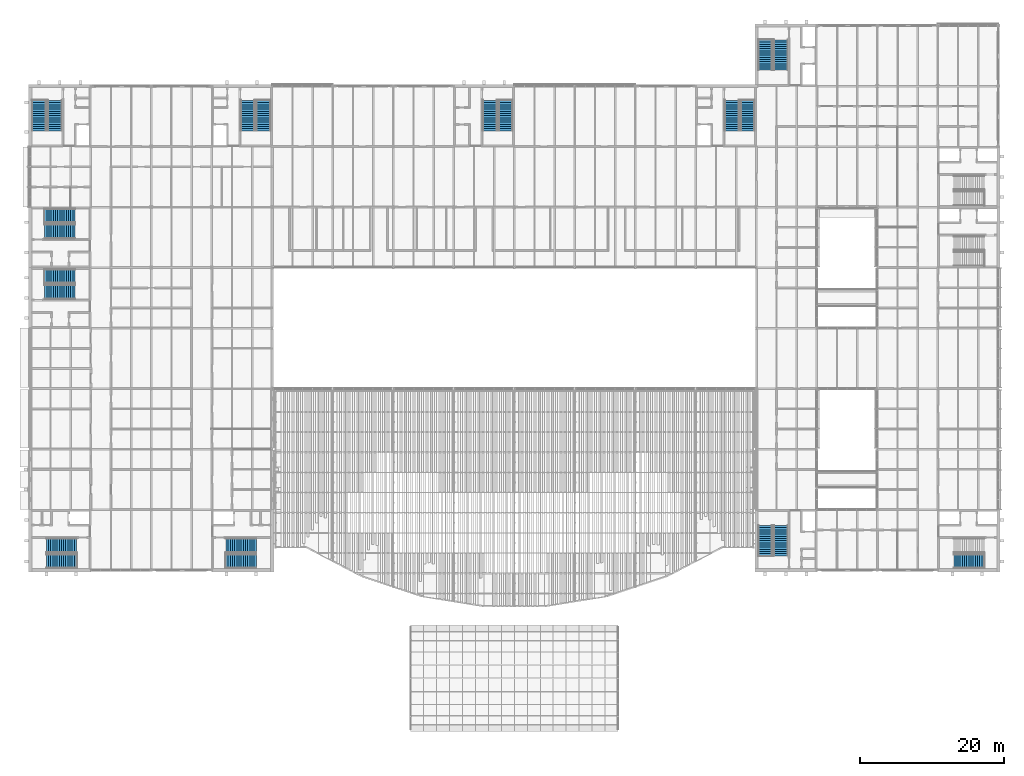
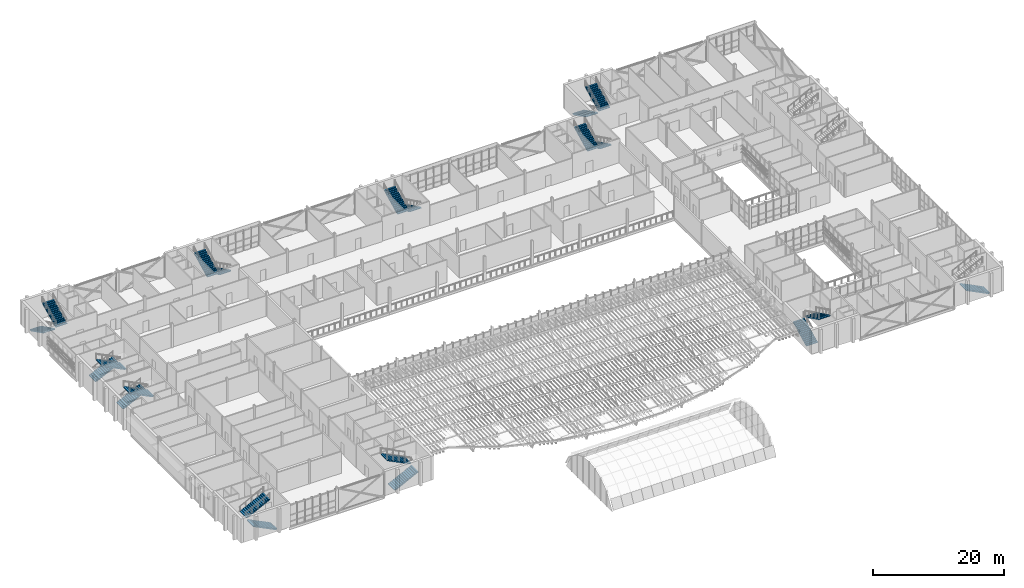
# One storey, part 97 of 129: 21 stair flights, 11 elements without a shape of their own.
"""IFC4 building model written with IfcOpenShell, lengths in metres."""

from ifc_helpers import new_model, si_unit, direction, frame, origin, place, context, subcontext, project, spatial, polyline, outline, extrude, material, type_object, element, aggregate, save


model = new_model("IFC4")

# Units and contexts
model_context = context("Model", 3, precision=1e-05, world=origin(), true_north=direction((0.0, 1.0)))
body_context = subcontext(model_context, "Body", "Model", "MODEL_VIEW")
ifc_project = project(units=[si_unit("LENGTHUNIT", "METRE"), si_unit("AREAUNIT", "SQUARE_METRE"), si_unit("VOLUMEUNIT", "CUBIC_METRE"), si_unit("PLANEANGLEUNIT", "RADIAN"), si_unit("MASSUNIT", "GRAM", prefix="KILO")], contexts=[model_context])

# Site, building, storey
site_placement = place(None, origin())
site = spatial("IfcSite", under=ifc_project, at=site_placement, CompositionType="ELEMENT")
building_placement = place(site_placement, origin())
building = spatial("IfcBuilding", under=site, at=building_placement, Name="Ardhachandra Cancer Care Centre", CompositionType="ELEMENT")
storey_placement = place(building_placement, frame((0.0, 0.0, 4.5)))
storey = spatial("IfcBuildingStorey", under=building, at=storey_placement, Name="L01", CompositionType="ELEMENT", Elevation=4.5)

# Stair, stair flights
ifc_material_1 = material(Name="Concrete M40", Category="concrete")
stair_type = type_object("IfcStairType", Name="Dog-leg stair 2000", PredefinedType="HALF_TURN_STAIR", material=ifc_material_1)
stair_1_placement = place(storey_placement, origin())
stair_1 = element("IfcStair", 1, at=stair_1_placement, inside=storey, type_object=stair_type, Name="Stair K1 L01-L02", PredefinedType="HALF_TURN_STAIR")
ifc_material_2 = material(Name="Concrete M40", Category="concrete")
stair_flight_type = type_object("IfcStairFlightType", Name="Stair flight 2000", PredefinedType="STRAIGHT", material=ifc_material_2)
stair_flight_1_placement = place(storey_placement, frame((17.22509765625, 30.625, 0.0), z_axis=(0.0, 0.0, 1.0), x_axis=(-1.0, 0.0, 0.0)))
stair_flight_1 = element("IfcStairFlight", 2, at=stair_flight_1_placement, type_object=stair_flight_type, Name="stair K1 L01-L02 flight 1", NumberOfRisers=15, NumberOfTreads=14, PredefinedType="STRAIGHT", RiserHeight=0.15, TreadLength=0.3, context=body_context, shape_type="SweptSolid", body=[
    extrude(outline(polyline([(0.0, 0.0), (0.0, 0.14990234375), (0.300048828125, 0.14990234375), (0.300048828125, 0.300048828125), (0.60009765625, 0.300048828125), (0.60009765625, 0.449951171875), (0.89990234375, 0.449951171875), (0.89990234375, 0.60009765625), (1.199951171875, 0.60009765625), (1.199951171875, 0.75), (1.5, 0.75), (1.5, 0.89990234375), (1.800048828125, 0.89990234375), (1.800048828125, 1.050048828125), (2.10009765625, 1.050048828125), (2.10009765625, 1.199951171875), (2.39990234375, 1.199951171875), (2.39990234375, 1.35009765625), (2.699951171875, 1.35009765625), (2.699951171875, 1.5), (3.0, 1.5), (3.0, 1.64990234375), (3.300048828125, 1.64990234375), (3.300048828125, 1.800048828125), (3.60009765625, 1.800048828125), (3.60009765625, 1.949951171875), (3.89990234375, 1.949951171875), (3.89990234375, 2.10009765625), (4.199951171875, 2.10009765625), (4.199951171875, 2.25), (4.199951171875, 1.932373046875), (0.335205078125, 0.0), (0.0, 0.0)])), frame((0.0, 1.0, 0.0), z_axis=(0.0, -1.0, 0.0), x_axis=(1.0, 0.0, 0.0)), (0.0, 0.0, 1.0), 2.0),
])
stair_flight_2_placement = place(storey_placement, frame((13.02490234375, 32.824951171875, 2.25), z_axis=(0.0, 0.0, 1.0), x_axis=(1.0, 0.0, 0.0)))
stair_flight_2 = element("IfcStairFlight", 3, at=stair_flight_2_placement, type_object=stair_flight_type, Name="stair K1 L01-L02 flight 2", NumberOfRisers=15, NumberOfTreads=14, PredefinedType="STRAIGHT", RiserHeight=0.15, TreadLength=0.3, context=body_context, shape_type="SweptSolid", body=[
    extrude(outline(polyline([(0.0, 0.0), (0.0, 0.14990234375), (0.300048828125, 0.14990234375), (0.300048828125, 0.300048828125), (0.60009765625, 0.300048828125), (0.60009765625, 0.449951171875), (0.89990234375, 0.449951171875), (0.89990234375, 0.60009765625), (1.199951171875, 0.60009765625), (1.199951171875, 0.75), (1.5, 0.75), (1.5, 0.89990234375), (1.800048828125, 0.89990234375), (1.800048828125, 1.050048828125), (2.10009765625, 1.050048828125), (2.10009765625, 1.199951171875), (2.39990234375, 1.199951171875), (2.39990234375, 1.35009765625), (2.699951171875, 1.35009765625), (2.699951171875, 1.5), (3.0, 1.5), (3.0, 1.64990234375), (3.300048828125, 1.64990234375), (3.300048828125, 1.800048828125), (3.60009765625, 1.800048828125), (3.60009765625, 1.949951171875), (3.89990234375, 1.949951171875), (3.89990234375, 2.10009765625), (4.199951171875, 2.10009765625), (4.199951171875, 2.25), (4.199951171875, 1.932373046875), (0.335205078125, 0.0), (0.0, 0.0)])), frame((0.0, 1.0, 0.0), z_axis=(0.0, -1.0, 0.0), x_axis=(1.0, 0.0, 0.0)), (0.0, 0.0, 1.0), 2.0),
])
aggregate(stair_1, [stair_flight_1, stair_flight_2])

stair_2_placement = place(storey_placement, origin())
stair_2 = element("IfcStair", 4, at=stair_2_placement, inside=storey, type_object=stair_type, Name="Stair K2 L01-L02", PredefinedType="HALF_TURN_STAIR")
stair_flight_3_placement = place(storey_placement, frame((37.97509765625, 30.625, 0.0), z_axis=(0.0, 0.0, 1.0), x_axis=(1.0, 0.0, 0.0)))
stair_flight_3 = element("IfcStairFlight", 5, at=stair_flight_3_placement, type_object=stair_flight_type, Name="stair K2 L01-L02 flight 1", NumberOfRisers=15, NumberOfTreads=14, PredefinedType="STRAIGHT", RiserHeight=0.15, TreadLength=0.3, context=body_context, shape_type="SweptSolid", body=[
    extrude(outline(polyline([(0.0, 0.0), (0.0, 0.14990234375), (0.300048828125, 0.14990234375), (0.300048828125, 0.300048828125), (0.60009765625, 0.300048828125), (0.60009765625, 0.449951171875), (0.89990234375, 0.449951171875), (0.89990234375, 0.60009765625), (1.199951171875, 0.60009765625), (1.199951171875, 0.75), (1.5, 0.75), (1.5, 0.89990234375), (1.800048828125, 0.89990234375), (1.800048828125, 1.050048828125), (2.10009765625, 1.050048828125), (2.10009765625, 1.199951171875), (2.39990234375, 1.199951171875), (2.39990234375, 1.35009765625), (2.699951171875, 1.35009765625), (2.699951171875, 1.5), (3.0, 1.5), (3.0, 1.64990234375), (3.300048828125, 1.64990234375), (3.300048828125, 1.800048828125), (3.60009765625, 1.800048828125), (3.60009765625, 1.949951171875), (3.89990234375, 1.949951171875), (3.89990234375, 2.10009765625), (4.199951171875, 2.10009765625), (4.199951171875, 2.25), (4.199951171875, 1.932373046875), (0.335205078125, 0.0), (0.0, 0.0)])), frame((0.0, 1.0, 0.0), z_axis=(0.0, -1.0, 0.0), x_axis=(1.0, 0.0, 0.0)), (0.0, 0.0, 1.0), 2.0),
])
stair_flight_4_placement = place(storey_placement, frame((42.175048828125, 32.824951171875, 2.25), z_axis=(0.0, 0.0, 1.0), x_axis=(-1.0, 0.0, 0.0)))
stair_flight_4 = element("IfcStairFlight", 6, at=stair_flight_4_placement, type_object=stair_flight_type, Name="stair K2 L01-L02 flight 2", NumberOfRisers=15, NumberOfTreads=14, PredefinedType="STRAIGHT", RiserHeight=0.15, TreadLength=0.3, context=body_context, shape_type="SweptSolid", body=[
    extrude(outline(polyline([(0.0, 0.0), (0.0, 0.14990234375), (0.300048828125, 0.14990234375), (0.300048828125, 0.300048828125), (0.60009765625, 0.300048828125), (0.60009765625, 0.449951171875), (0.89990234375, 0.449951171875), (0.89990234375, 0.60009765625), (1.199951171875, 0.60009765625), (1.199951171875, 0.75), (1.5, 0.75), (1.5, 0.89990234375), (1.800048828125, 0.89990234375), (1.800048828125, 1.050048828125), (2.10009765625, 1.050048828125), (2.10009765625, 1.199951171875), (2.39990234375, 1.199951171875), (2.39990234375, 1.35009765625), (2.699951171875, 1.35009765625), (2.699951171875, 1.5), (3.0, 1.5), (3.0, 1.64990234375), (3.300048828125, 1.64990234375), (3.300048828125, 1.800048828125), (3.60009765625, 1.800048828125), (3.60009765625, 1.949951171875), (3.89990234375, 1.949951171875), (3.89990234375, 2.10009765625), (4.199951171875, 2.10009765625), (4.199951171875, 2.25), (4.199951171875, 1.932373046875), (0.335205078125, 0.0), (0.0, 0.0)])), frame((0.0, 1.0, 0.0), z_axis=(0.0, -1.0, 0.0), x_axis=(1.0, 0.0, 0.0)), (0.0, 0.0, 1.0), 2.0),
])
aggregate(stair_2, [stair_flight_3, stair_flight_4])

stair_3_placement = place(storey_placement, origin())
stair_3 = element("IfcStair", 7, at=stair_3_placement, inside=storey, type_object=stair_type, Name="Stair K3 L01-L02", PredefinedType="HALF_TURN_STAIR")
stair_flight_5_placement = place(storey_placement, frame((12.800048828125, 70.199951171875, 0.0), z_axis=(0.0, 0.0, 1.0), x_axis=(1.0, 0.0, 0.0)))
stair_flight_5 = element("IfcStairFlight", 8, at=stair_flight_5_placement, type_object=stair_flight_type, Name="stair K3 L01-L02 flight 1", NumberOfRisers=15, NumberOfTreads=14, PredefinedType="STRAIGHT", RiserHeight=0.15, TreadLength=0.3, context=body_context, shape_type="SweptSolid", body=[
    extrude(outline(polyline([(0.0, 0.0), (0.0, 0.14990234375), (0.300048828125, 0.14990234375), (0.300048828125, 0.300048828125), (0.60009765625, 0.300048828125), (0.60009765625, 0.449951171875), (0.89990234375, 0.449951171875), (0.89990234375, 0.60009765625), (1.199951171875, 0.60009765625), (1.199951171875, 0.75), (1.5, 0.75), (1.5, 0.89990234375), (1.800048828125, 0.89990234375), (1.800048828125, 1.050048828125), (2.10009765625, 1.050048828125), (2.10009765625, 1.199951171875), (2.39990234375, 1.199951171875), (2.39990234375, 1.35009765625), (2.699951171875, 1.35009765625), (2.699951171875, 1.5), (3.0, 1.5), (3.0, 1.64990234375), (3.300048828125, 1.64990234375), (3.300048828125, 1.800048828125), (3.60009765625, 1.800048828125), (3.60009765625, 1.949951171875), (3.89990234375, 1.949951171875), (3.89990234375, 2.10009765625), (4.199951171875, 2.10009765625), (4.199951171875, 2.25), (4.199951171875, 1.932373046875), (0.335205078125, 0.0), (0.0, 0.0)])), frame((0.0, 1.0, 0.0), z_axis=(0.0, -1.0, 0.0), x_axis=(1.0, 0.0, 0.0)), (0.0, 0.0, 1.0), 2.0),
])
stair_flight_6_placement = place(storey_placement, frame((17.0, 68.0, 2.25), z_axis=(0.0, 0.0, 1.0), x_axis=(-1.0, 0.0, 0.0)))
stair_flight_6 = element("IfcStairFlight", 9, at=stair_flight_6_placement, type_object=stair_flight_type, Name="stair K3 L01-L02 flight 2", NumberOfRisers=15, NumberOfTreads=14, PredefinedType="STRAIGHT", RiserHeight=0.15, TreadLength=0.3, context=body_context, shape_type="SweptSolid", body=[
    extrude(outline(polyline([(0.0, 0.0), (0.0, 0.14990234375), (0.300048828125, 0.14990234375), (0.300048828125, 0.300048828125), (0.60009765625, 0.300048828125), (0.60009765625, 0.449951171875), (0.89990234375, 0.449951171875), (0.89990234375, 0.60009765625), (1.199951171875, 0.60009765625), (1.199951171875, 0.75), (1.5, 0.75), (1.5, 0.89990234375), (1.800048828125, 0.89990234375), (1.800048828125, 1.050048828125), (2.10009765625, 1.050048828125), (2.10009765625, 1.199951171875), (2.39990234375, 1.199951171875), (2.39990234375, 1.35009765625), (2.699951171875, 1.35009765625), (2.699951171875, 1.5), (3.0, 1.5), (3.0, 1.64990234375), (3.300048828125, 1.64990234375), (3.300048828125, 1.800048828125), (3.60009765625, 1.800048828125), (3.60009765625, 1.949951171875), (3.89990234375, 1.949951171875), (3.89990234375, 2.10009765625), (4.199951171875, 2.10009765625), (4.199951171875, 2.25), (4.199951171875, 1.932373046875), (0.335205078125, 0.0), (0.0, 0.0)])), frame((0.0, 1.0, 0.0), z_axis=(0.0, -1.0, 0.0), x_axis=(1.0, 0.0, 0.0)), (0.0, 0.0, 1.0), 2.0),
])
aggregate(stair_3, [stair_flight_5, stair_flight_6])

stair_4_placement = place(storey_placement, origin())
stair_4 = element("IfcStair", 10, at=stair_4_placement, inside=storey, type_object=stair_type, Name="Stair K4 L01-L02", PredefinedType="HALF_TURN_STAIR")
stair_flight_7_placement = place(storey_placement, frame((12.02490234375, 94.60009765625, 0.0), z_axis=(0.0, 0.0, 1.0), x_axis=(0.0, -1.0, 0.0)))
stair_flight_7 = element("IfcStairFlight", 11, at=stair_flight_7_placement, type_object=stair_flight_type, Name="stair K4 L01-L02 flight 1", NumberOfRisers=15, NumberOfTreads=14, PredefinedType="STRAIGHT", RiserHeight=0.15, TreadLength=0.3, context=body_context, shape_type="SweptSolid", body=[
    extrude(outline(polyline([(0.0, 0.0), (0.0, 0.14990234375), (0.300048828125, 0.14990234375), (0.300048828125, 0.300048828125), (0.60009765625, 0.300048828125), (0.60009765625, 0.449951171875), (0.89990234375, 0.449951171875), (0.89990234375, 0.60009765625), (1.199951171875, 0.60009765625), (1.199951171875, 0.75), (1.5, 0.75), (1.5, 0.89990234375), (1.800048828125, 0.89990234375), (1.800048828125, 1.050048828125), (2.10009765625, 1.050048828125), (2.10009765625, 1.199951171875), (2.39990234375, 1.199951171875), (2.39990234375, 1.35009765625), (2.699951171875, 1.35009765625), (2.699951171875, 1.5), (3.0, 1.5), (3.0, 1.64990234375), (3.300048828125, 1.64990234375), (3.300048828125, 1.800048828125), (3.60009765625, 1.800048828125), (3.60009765625, 1.949951171875), (3.89990234375, 1.949951171875), (3.89990234375, 2.10009765625), (4.199951171875, 2.10009765625), (4.199951171875, 2.25), (4.199951171875, 1.932373046875), (0.335205078125, 0.0), (0.0, 0.0)])), frame((0.0, 1.0, 0.0), z_axis=(0.0, -1.0, 0.0), x_axis=(1.0, 0.0, 0.0)), (0.0, 0.0, 1.0), 2.0),
])
stair_flight_8_placement = place(storey_placement, frame((14.22509765625, 90.39990234375, 2.25), z_axis=(0.0, 0.0, 1.0), x_axis=(0.0, 1.0, 0.0)))
stair_flight_8 = element("IfcStairFlight", 12, at=stair_flight_8_placement, type_object=stair_flight_type, Name="stair K4 L01-L02 flight 2", NumberOfRisers=15, NumberOfTreads=14, PredefinedType="STRAIGHT", RiserHeight=0.15, TreadLength=0.3, context=body_context, shape_type="SweptSolid", body=[
    extrude(outline(polyline([(0.0, 0.0), (0.0, 0.14990234375), (0.300048828125, 0.14990234375), (0.300048828125, 0.300048828125), (0.60009765625, 0.300048828125), (0.60009765625, 0.449951171875), (0.89990234375, 0.449951171875), (0.89990234375, 0.60009765625), (1.199951171875, 0.60009765625), (1.199951171875, 0.75), (1.5, 0.75), (1.5, 0.89990234375), (1.800048828125, 0.89990234375), (1.800048828125, 1.050048828125), (2.10009765625, 1.050048828125), (2.10009765625, 1.199951171875), (2.39990234375, 1.199951171875), (2.39990234375, 1.35009765625), (2.699951171875, 1.35009765625), (2.699951171875, 1.5), (3.0, 1.5), (3.0, 1.64990234375), (3.300048828125, 1.64990234375), (3.300048828125, 1.800048828125), (3.60009765625, 1.800048828125), (3.60009765625, 1.949951171875), (3.89990234375, 1.949951171875), (3.89990234375, 2.10009765625), (4.199951171875, 2.10009765625), (4.199951171875, 2.25), (4.199951171875, 1.932373046875), (0.335205078125, 0.0), (0.0, 0.0)])), frame((0.0, 1.0, 0.0), z_axis=(0.0, -1.0, 0.0), x_axis=(1.0, 0.0, 0.0)), (0.0, 0.0, 1.0), 2.0),
])
aggregate(stair_4, [stair_flight_7, stair_flight_8])

stair_5_placement = place(storey_placement, origin())
stair_5 = element("IfcStair", 13, at=stair_5_placement, inside=storey, type_object=stair_type, Name="Stair K5 L01-L02", PredefinedType="HALF_TURN_STAIR")
stair_flight_9_placement = place(storey_placement, frame((43.199951171875, 94.60009765625, 0.0), z_axis=(0.0, 0.0, 1.0), x_axis=(0.0, -1.0, 0.0)))
stair_flight_9 = element("IfcStairFlight", 14, at=stair_flight_9_placement, type_object=stair_flight_type, Name="stair K5 L01-L02 flight 1", NumberOfRisers=15, NumberOfTreads=14, PredefinedType="STRAIGHT", RiserHeight=0.15, TreadLength=0.3, context=body_context, shape_type="SweptSolid", body=[
    extrude(outline(polyline([(0.0, 0.0), (0.0, 0.14990234375), (0.300048828125, 0.14990234375), (0.300048828125, 0.300048828125), (0.60009765625, 0.300048828125), (0.60009765625, 0.449951171875), (0.89990234375, 0.449951171875), (0.89990234375, 0.60009765625), (1.199951171875, 0.60009765625), (1.199951171875, 0.75), (1.5, 0.75), (1.5, 0.89990234375), (1.800048828125, 0.89990234375), (1.800048828125, 1.050048828125), (2.10009765625, 1.050048828125), (2.10009765625, 1.199951171875), (2.39990234375, 1.199951171875), (2.39990234375, 1.35009765625), (2.699951171875, 1.35009765625), (2.699951171875, 1.5), (3.0, 1.5), (3.0, 1.64990234375), (3.300048828125, 1.64990234375), (3.300048828125, 1.800048828125), (3.60009765625, 1.800048828125), (3.60009765625, 1.949951171875), (3.89990234375, 1.949951171875), (3.89990234375, 2.10009765625), (4.199951171875, 2.10009765625), (4.199951171875, 2.25), (4.199951171875, 1.932373046875), (0.335205078125, 0.0), (0.0, 0.0)])), frame((0.0, 1.0, 0.0), z_axis=(0.0, -1.0, 0.0), x_axis=(1.0, 0.0, 0.0)), (0.0, 0.0, 1.0), 2.0),
])
stair_flight_10_placement = place(storey_placement, frame((41.0, 90.39990234375, 2.25), z_axis=(0.0, 0.0, 1.0), x_axis=(0.0, 1.0, 0.0)))
stair_flight_10 = element("IfcStairFlight", 15, at=stair_flight_10_placement, type_object=stair_flight_type, Name="stair K5 L01-L02 flight 2", NumberOfRisers=15, NumberOfTreads=14, PredefinedType="STRAIGHT", RiserHeight=0.15, TreadLength=0.3, context=body_context, shape_type="SweptSolid", body=[
    extrude(outline(polyline([(0.0, 0.0), (0.0, 0.14990234375), (0.300048828125, 0.14990234375), (0.300048828125, 0.300048828125), (0.60009765625, 0.300048828125), (0.60009765625, 0.449951171875), (0.89990234375, 0.449951171875), (0.89990234375, 0.60009765625), (1.199951171875, 0.60009765625), (1.199951171875, 0.75), (1.5, 0.75), (1.5, 0.89990234375), (1.800048828125, 0.89990234375), (1.800048828125, 1.050048828125), (2.10009765625, 1.050048828125), (2.10009765625, 1.199951171875), (2.39990234375, 1.199951171875), (2.39990234375, 1.35009765625), (2.699951171875, 1.35009765625), (2.699951171875, 1.5), (3.0, 1.5), (3.0, 1.64990234375), (3.300048828125, 1.64990234375), (3.300048828125, 1.800048828125), (3.60009765625, 1.800048828125), (3.60009765625, 1.949951171875), (3.89990234375, 1.949951171875), (3.89990234375, 2.10009765625), (4.199951171875, 2.10009765625), (4.199951171875, 2.25), (4.199951171875, 1.932373046875), (0.335205078125, 0.0), (0.0, 0.0)])), frame((0.0, 1.0, 0.0), z_axis=(0.0, -1.0, 0.0), x_axis=(1.0, 0.0, 0.0)), (0.0, 0.0, 1.0), 2.0),
])
aggregate(stair_5, [stair_flight_9, stair_flight_10])

stair_6_placement = place(storey_placement, origin())
stair_6 = element("IfcStair", 16, at=stair_6_placement, inside=storey, type_object=stair_type, Name="Stair K6 L01-L02", PredefinedType="HALF_TURN_STAIR")
stair_flight_11_placement = place(storey_placement, frame((12.800048828125, 78.60009765625, 0.0), z_axis=(0.0, 0.0, 1.0), x_axis=(1.0, 0.0, 0.0)))
stair_flight_11 = element("IfcStairFlight", 17, at=stair_flight_11_placement, type_object=stair_flight_type, Name="stair K6 L01-L02 flight 1", NumberOfRisers=15, NumberOfTreads=14, PredefinedType="STRAIGHT", RiserHeight=0.15, TreadLength=0.3, context=body_context, shape_type="SweptSolid", body=[
    extrude(outline(polyline([(0.0, 0.0), (0.0, 0.14990234375), (0.300048828125, 0.14990234375), (0.300048828125, 0.300048828125), (0.60009765625, 0.300048828125), (0.60009765625, 0.449951171875), (0.89990234375, 0.449951171875), (0.89990234375, 0.60009765625), (1.199951171875, 0.60009765625), (1.199951171875, 0.75), (1.5, 0.75), (1.5, 0.89990234375), (1.800048828125, 0.89990234375), (1.800048828125, 1.050048828125), (2.10009765625, 1.050048828125), (2.10009765625, 1.199951171875), (2.39990234375, 1.199951171875), (2.39990234375, 1.35009765625), (2.699951171875, 1.35009765625), (2.699951171875, 1.5), (3.0, 1.5), (3.0, 1.64990234375), (3.300048828125, 1.64990234375), (3.300048828125, 1.800048828125), (3.60009765625, 1.800048828125), (3.60009765625, 1.949951171875), (3.89990234375, 1.949951171875), (3.89990234375, 2.10009765625), (4.199951171875, 2.10009765625), (4.199951171875, 2.25), (4.199951171875, 1.932373046875), (0.335205078125, 0.0), (0.0, 0.0)])), frame((0.0, 1.0, 0.0), z_axis=(0.0, -1.0, 0.0), x_axis=(1.0, 0.0, 0.0)), (0.0, 0.0, 1.0), 2.0),
])
stair_flight_12_placement = place(storey_placement, frame((17.0, 76.39990234375, 2.25), z_axis=(0.0, 0.0, 1.0), x_axis=(-1.0, 0.0, 0.0)))
stair_flight_12 = element("IfcStairFlight", 18, at=stair_flight_12_placement, type_object=stair_flight_type, Name="stair K6 L01-L02 flight 2", NumberOfRisers=15, NumberOfTreads=14, PredefinedType="STRAIGHT", RiserHeight=0.15, TreadLength=0.3, context=body_context, shape_type="SweptSolid", body=[
    extrude(outline(polyline([(0.0, 0.0), (0.0, 0.14990234375), (0.300048828125, 0.14990234375), (0.300048828125, 0.300048828125), (0.60009765625, 0.300048828125), (0.60009765625, 0.449951171875), (0.89990234375, 0.449951171875), (0.89990234375, 0.60009765625), (1.199951171875, 0.60009765625), (1.199951171875, 0.75), (1.5, 0.75), (1.5, 0.89990234375), (1.800048828125, 0.89990234375), (1.800048828125, 1.050048828125), (2.10009765625, 1.050048828125), (2.10009765625, 1.199951171875), (2.39990234375, 1.199951171875), (2.39990234375, 1.35009765625), (2.699951171875, 1.35009765625), (2.699951171875, 1.5), (3.0, 1.5), (3.0, 1.64990234375), (3.300048828125, 1.64990234375), (3.300048828125, 1.800048828125), (3.60009765625, 1.800048828125), (3.60009765625, 1.949951171875), (3.89990234375, 1.949951171875), (3.89990234375, 2.10009765625), (4.199951171875, 2.10009765625), (4.199951171875, 2.25), (4.199951171875, 1.932373046875), (0.335205078125, 0.0), (0.0, 0.0)])), frame((0.0, 1.0, 0.0), z_axis=(0.0, -1.0, 0.0), x_axis=(1.0, 0.0, 0.0)), (0.0, 0.0, 1.0), 2.0),
])
aggregate(stair_6, [stair_flight_11, stair_flight_12])

stair_7_placement = place(storey_placement, origin())
stair_7 = element("IfcStair", 19, at=stair_7_placement, inside=storey, type_object=stair_type, Name="Stair K7 L01-L02", PredefinedType="HALF_TURN_STAIR")
stair_flight_13_placement = place(storey_placement, frame((110.39990234375, 94.60009765625, 0.0), z_axis=(0.0, 0.0, 1.0), x_axis=(0.0, -1.0, 0.0)))
stair_flight_13 = element("IfcStairFlight", 20, at=stair_flight_13_placement, type_object=stair_flight_type, Name="stair K7 L01-L02 flight 1", NumberOfRisers=15, NumberOfTreads=14, PredefinedType="STRAIGHT", RiserHeight=0.15, TreadLength=0.3, context=body_context, shape_type="SweptSolid", body=[
    extrude(outline(polyline([(0.0, 0.0), (0.0, 0.14990234375), (0.300048828125, 0.14990234375), (0.300048828125, 0.300048828125), (0.60009765625, 0.300048828125), (0.60009765625, 0.449951171875), (0.89990234375, 0.449951171875), (0.89990234375, 0.60009765625), (1.199951171875, 0.60009765625), (1.199951171875, 0.75), (1.5, 0.75), (1.5, 0.89990234375), (1.800048828125, 0.89990234375), (1.800048828125, 1.050048828125), (2.10009765625, 1.050048828125), (2.10009765625, 1.199951171875), (2.39990234375, 1.199951171875), (2.39990234375, 1.35009765625), (2.699951171875, 1.35009765625), (2.699951171875, 1.5), (3.0, 1.5), (3.0, 1.64990234375), (3.300048828125, 1.64990234375), (3.300048828125, 1.800048828125), (3.60009765625, 1.800048828125), (3.60009765625, 1.949951171875), (3.89990234375, 1.949951171875), (3.89990234375, 2.10009765625), (4.199951171875, 2.10009765625), (4.199951171875, 2.25), (4.199951171875, 1.932373046875), (0.335205078125, 0.0), (0.0, 0.0)])), frame((0.0, 1.0, 0.0), z_axis=(0.0, -1.0, 0.0), x_axis=(1.0, 0.0, 0.0)), (0.0, 0.0, 1.0), 2.0),
])
stair_flight_14_placement = place(storey_placement, frame((108.199951171875, 90.39990234375, 2.25), z_axis=(0.0, 0.0, 1.0), x_axis=(0.0, 1.0, 0.0)))
stair_flight_14 = element("IfcStairFlight", 21, at=stair_flight_14_placement, type_object=stair_flight_type, Name="stair K7 L01-L02 flight 2", NumberOfRisers=15, NumberOfTreads=14, PredefinedType="STRAIGHT", RiserHeight=0.15, TreadLength=0.3, context=body_context, shape_type="SweptSolid", body=[
    extrude(outline(polyline([(0.0, 0.0), (0.0, 0.14990234375), (0.300048828125, 0.14990234375), (0.300048828125, 0.300048828125), (0.60009765625, 0.300048828125), (0.60009765625, 0.449951171875), (0.89990234375, 0.449951171875), (0.89990234375, 0.60009765625), (1.199951171875, 0.60009765625), (1.199951171875, 0.75), (1.5, 0.75), (1.5, 0.89990234375), (1.800048828125, 0.89990234375), (1.800048828125, 1.050048828125), (2.10009765625, 1.050048828125), (2.10009765625, 1.199951171875), (2.39990234375, 1.199951171875), (2.39990234375, 1.35009765625), (2.699951171875, 1.35009765625), (2.699951171875, 1.5), (3.0, 1.5), (3.0, 1.64990234375), (3.300048828125, 1.64990234375), (3.300048828125, 1.800048828125), (3.60009765625, 1.800048828125), (3.60009765625, 1.949951171875), (3.89990234375, 1.949951171875), (3.89990234375, 2.10009765625), (4.199951171875, 2.10009765625), (4.199951171875, 2.25), (4.199951171875, 1.932373046875), (0.335205078125, 0.0), (0.0, 0.0)])), frame((0.0, 1.0, 0.0), z_axis=(0.0, -1.0, 0.0), x_axis=(1.0, 0.0, 0.0)), (0.0, 0.0, 1.0), 2.0),
])
aggregate(stair_7, [stair_flight_13, stair_flight_14])

stair_8_placement = place(storey_placement, origin())
stair_8 = element("IfcStair", 22, at=stair_8_placement, inside=storey, type_object=stair_type, Name="Stair K8 L01-L02", PredefinedType="HALF_TURN_STAIR")
stair_flight_15_placement = place(storey_placement, frame((76.800048828125, 94.60009765625, 0.0), z_axis=(0.0, 0.0, 1.0), x_axis=(0.0, -1.0, 0.0)))
stair_flight_15 = element("IfcStairFlight", 23, at=stair_flight_15_placement, type_object=stair_flight_type, Name="stair K8 L01-L02 flight 1", NumberOfRisers=15, NumberOfTreads=14, PredefinedType="STRAIGHT", RiserHeight=0.15, TreadLength=0.3, context=body_context, shape_type="SweptSolid", body=[
    extrude(outline(polyline([(0.0, 0.0), (0.0, 0.14990234375), (0.300048828125, 0.14990234375), (0.300048828125, 0.300048828125), (0.60009765625, 0.300048828125), (0.60009765625, 0.449951171875), (0.89990234375, 0.449951171875), (0.89990234375, 0.60009765625), (1.199951171875, 0.60009765625), (1.199951171875, 0.75), (1.5, 0.75), (1.5, 0.89990234375), (1.800048828125, 0.89990234375), (1.800048828125, 1.050048828125), (2.10009765625, 1.050048828125), (2.10009765625, 1.199951171875), (2.39990234375, 1.199951171875), (2.39990234375, 1.35009765625), (2.699951171875, 1.35009765625), (2.699951171875, 1.5), (3.0, 1.5), (3.0, 1.64990234375), (3.300048828125, 1.64990234375), (3.300048828125, 1.800048828125), (3.60009765625, 1.800048828125), (3.60009765625, 1.949951171875), (3.89990234375, 1.949951171875), (3.89990234375, 2.10009765625), (4.199951171875, 2.10009765625), (4.199951171875, 2.25), (4.199951171875, 1.932373046875), (0.335205078125, 0.0), (0.0, 0.0)])), frame((0.0, 1.0, 0.0), z_axis=(0.0, -1.0, 0.0), x_axis=(1.0, 0.0, 0.0)), (0.0, 0.0, 1.0), 2.0),
])
stair_flight_16_placement = place(storey_placement, frame((74.60009765625, 90.39990234375, 2.25), z_axis=(0.0, 0.0, 1.0), x_axis=(0.0, 1.0, 0.0)))
stair_flight_16 = element("IfcStairFlight", 24, at=stair_flight_16_placement, type_object=stair_flight_type, Name="stair K8 L01-L02 flight 2", NumberOfRisers=15, NumberOfTreads=14, PredefinedType="STRAIGHT", RiserHeight=0.15, TreadLength=0.3, context=body_context, shape_type="SweptSolid", body=[
    extrude(outline(polyline([(0.0, 0.0), (0.0, 0.14990234375), (0.300048828125, 0.14990234375), (0.300048828125, 0.300048828125), (0.60009765625, 0.300048828125), (0.60009765625, 0.449951171875), (0.89990234375, 0.449951171875), (0.89990234375, 0.60009765625), (1.199951171875, 0.60009765625), (1.199951171875, 0.75), (1.5, 0.75), (1.5, 0.89990234375), (1.800048828125, 0.89990234375), (1.800048828125, 1.050048828125), (2.10009765625, 1.050048828125), (2.10009765625, 1.199951171875), (2.39990234375, 1.199951171875), (2.39990234375, 1.35009765625), (2.699951171875, 1.35009765625), (2.699951171875, 1.5), (3.0, 1.5), (3.0, 1.64990234375), (3.300048828125, 1.64990234375), (3.300048828125, 1.800048828125), (3.60009765625, 1.800048828125), (3.60009765625, 1.949951171875), (3.89990234375, 1.949951171875), (3.89990234375, 2.10009765625), (4.199951171875, 2.10009765625), (4.199951171875, 2.25), (4.199951171875, 1.932373046875), (0.335205078125, 0.0), (0.0, 0.0)])), frame((0.0, 1.0, 0.0), z_axis=(0.0, -1.0, 0.0), x_axis=(1.0, 0.0, 0.0)), (0.0, 0.0, 1.0), 2.0),
])
aggregate(stair_8, [stair_flight_15, stair_flight_16])

# Stair, stair flight
stair_9_placement = place(storey_placement, origin())
stair_9 = element("IfcStair", 25, at=stair_9_placement, inside=storey, type_object=stair_type, Name="Stair K9 L01-L02", PredefinedType="HALF_TURN_STAIR")
stair_flight_17_placement = place(storey_placement, frame((143.199951171875, 30.625, 0.0), z_axis=(0.0, 0.0, 1.0), x_axis=(-1.0, 0.0, 0.0)))
stair_flight_17 = element("IfcStairFlight", 26, at=stair_flight_17_placement, type_object=stair_flight_type, Name="stair K9 L01-L02 flight 1", NumberOfRisers=15, NumberOfTreads=14, PredefinedType="STRAIGHT", RiserHeight=0.15, TreadLength=0.3, context=body_context, shape_type="SweptSolid", body=[
    extrude(outline(polyline([(0.0, 0.0), (0.0, 0.14990234375), (0.300048828125, 0.14990234375), (0.300048828125, 0.300048828125), (0.60009765625, 0.300048828125), (0.60009765625, 0.449951171875), (0.89990234375, 0.449951171875), (0.89990234375, 0.60009765625), (1.199951171875, 0.60009765625), (1.199951171875, 0.75), (1.5, 0.75), (1.5, 0.89990234375), (1.800048828125, 0.89990234375), (1.800048828125, 1.050048828125), (2.10009765625, 1.050048828125), (2.10009765625, 1.199951171875), (2.39990234375, 1.199951171875), (2.39990234375, 1.35009765625), (2.699951171875, 1.35009765625), (2.699951171875, 1.5), (3.0, 1.5), (3.0, 1.64990234375), (3.300048828125, 1.64990234375), (3.300048828125, 1.800048828125), (3.60009765625, 1.800048828125), (3.60009765625, 1.949951171875), (3.89990234375, 1.949951171875), (3.89990234375, 2.10009765625), (4.199951171875, 2.10009765625), (4.199951171875, 2.25), (4.199951171875, 1.932373046875), (0.335205078125, 0.0), (0.0, 0.0)])), frame((0.0, 1.0, 0.0), z_axis=(0.0, -1.0, 0.0), x_axis=(1.0, 0.0, 0.0)), (0.0, 0.0, 1.0), 2.0),
])
aggregate(stair_9, [stair_flight_17])

# Stair, stair flights
stair_10_placement = place(storey_placement, origin())
stair_10 = element("IfcStair", 27, at=stair_10_placement, inside=storey, type_object=stair_type, Name="Stair K11 L01-L02", PredefinedType="HALF_TURN_STAIR")
stair_flight_18_placement = place(storey_placement, frame((112.824951171875, 31.39990234375, 0.0), z_axis=(0.0, 0.0, 1.0), x_axis=(0.0, 1.0, 0.0)))
stair_flight_18 = element("IfcStairFlight", 28, at=stair_flight_18_placement, type_object=stair_flight_type, Name="stair K11 L01-L02 flight 1", NumberOfRisers=15, NumberOfTreads=14, PredefinedType="STRAIGHT", RiserHeight=0.15, TreadLength=0.3, context=body_context, shape_type="SweptSolid", body=[
    extrude(outline(polyline([(0.0, 0.0), (0.0, 0.14990234375), (0.300048828125, 0.14990234375), (0.300048828125, 0.300048828125), (0.60009765625, 0.300048828125), (0.60009765625, 0.449951171875), (0.89990234375, 0.449951171875), (0.89990234375, 0.60009765625), (1.199951171875, 0.60009765625), (1.199951171875, 0.75), (1.5, 0.75), (1.5, 0.89990234375), (1.800048828125, 0.89990234375), (1.800048828125, 1.050048828125), (2.10009765625, 1.050048828125), (2.10009765625, 1.199951171875), (2.39990234375, 1.199951171875), (2.39990234375, 1.35009765625), (2.699951171875, 1.35009765625), (2.699951171875, 1.5), (3.0, 1.5), (3.0, 1.64990234375), (3.300048828125, 1.64990234375), (3.300048828125, 1.800048828125), (3.60009765625, 1.800048828125), (3.60009765625, 1.949951171875), (3.89990234375, 1.949951171875), (3.89990234375, 2.10009765625), (4.199951171875, 2.10009765625), (4.199951171875, 2.25), (4.199951171875, 1.932373046875), (0.335205078125, 0.0), (0.0, 0.0)])), frame((0.0, 1.0, 0.0), z_axis=(0.0, -1.0, 0.0), x_axis=(1.0, 0.0, 0.0)), (0.0, 0.0, 1.0), 2.0),
])
stair_flight_19_placement = place(storey_placement, frame((115.02490234375, 35.60009765625, 2.25), z_axis=(0.0, 0.0, 1.0), x_axis=(0.0, -1.0, 0.0)))
stair_flight_19 = element("IfcStairFlight", 29, at=stair_flight_19_placement, type_object=stair_flight_type, Name="stair K11 L01-L02 flight 2", NumberOfRisers=15, NumberOfTreads=14, PredefinedType="STRAIGHT", RiserHeight=0.15, TreadLength=0.3, context=body_context, shape_type="SweptSolid", body=[
    extrude(outline(polyline([(0.0, 0.0), (0.0, 0.14990234375), (0.300048828125, 0.14990234375), (0.300048828125, 0.300048828125), (0.60009765625, 0.300048828125), (0.60009765625, 0.449951171875), (0.89990234375, 0.449951171875), (0.89990234375, 0.60009765625), (1.199951171875, 0.60009765625), (1.199951171875, 0.75), (1.5, 0.75), (1.5, 0.89990234375), (1.800048828125, 0.89990234375), (1.800048828125, 1.050048828125), (2.10009765625, 1.050048828125), (2.10009765625, 1.199951171875), (2.39990234375, 1.199951171875), (2.39990234375, 1.35009765625), (2.699951171875, 1.35009765625), (2.699951171875, 1.5), (3.0, 1.5), (3.0, 1.64990234375), (3.300048828125, 1.64990234375), (3.300048828125, 1.800048828125), (3.60009765625, 1.800048828125), (3.60009765625, 1.949951171875), (3.89990234375, 1.949951171875), (3.89990234375, 2.10009765625), (4.199951171875, 2.10009765625), (4.199951171875, 2.25), (4.199951171875, 1.932373046875), (0.335205078125, 0.0), (0.0, 0.0)])), frame((0.0, 1.0, 0.0), z_axis=(0.0, -1.0, 0.0), x_axis=(1.0, 0.0, 0.0)), (0.0, 0.0, 1.0), 2.0),
])
aggregate(stair_10, [stair_flight_18, stair_flight_19])

stair_11_placement = place(storey_placement, origin())
stair_11 = element("IfcStair", 30, at=stair_11_placement, inside=storey, type_object=stair_type, Name="Stair K12 L01-L02", PredefinedType="HALF_TURN_STAIR")
stair_flight_20_placement = place(storey_placement, frame((112.824951171875, 103.0, 0.0), z_axis=(0.0, 0.0, 1.0), x_axis=(0.0, -1.0, 0.0)))
stair_flight_20 = element("IfcStairFlight", 31, at=stair_flight_20_placement, type_object=stair_flight_type, Name="stair K12 L01-L02 flight 1", NumberOfRisers=15, NumberOfTreads=14, PredefinedType="STRAIGHT", RiserHeight=0.15, TreadLength=0.3, context=body_context, shape_type="SweptSolid", body=[
    extrude(outline(polyline([(0.0, 0.0), (0.0, 0.14990234375), (0.300048828125, 0.14990234375), (0.300048828125, 0.300048828125), (0.60009765625, 0.300048828125), (0.60009765625, 0.449951171875), (0.89990234375, 0.449951171875), (0.89990234375, 0.60009765625), (1.199951171875, 0.60009765625), (1.199951171875, 0.75), (1.5, 0.75), (1.5, 0.89990234375), (1.800048828125, 0.89990234375), (1.800048828125, 1.050048828125), (2.10009765625, 1.050048828125), (2.10009765625, 1.199951171875), (2.39990234375, 1.199951171875), (2.39990234375, 1.35009765625), (2.699951171875, 1.35009765625), (2.699951171875, 1.5), (3.0, 1.5), (3.0, 1.64990234375), (3.300048828125, 1.64990234375), (3.300048828125, 1.800048828125), (3.60009765625, 1.800048828125), (3.60009765625, 1.949951171875), (3.89990234375, 1.949951171875), (3.89990234375, 2.10009765625), (4.199951171875, 2.10009765625), (4.199951171875, 2.25), (4.199951171875, 1.932373046875), (0.335205078125, 0.0), (0.0, 0.0)])), frame((0.0, 1.0, 0.0), z_axis=(0.0, -1.0, 0.0), x_axis=(1.0, 0.0, 0.0)), (0.0, 0.0, 1.0), 2.0),
])
stair_flight_21_placement = place(storey_placement, frame((115.02490234375, 98.800048828125, 2.25), z_axis=(0.0, 0.0, 1.0), x_axis=(0.0, 1.0, 0.0)))
stair_flight_21 = element("IfcStairFlight", 32, at=stair_flight_21_placement, type_object=stair_flight_type, Name="stair K12 L01-L02 flight 2", NumberOfRisers=15, NumberOfTreads=14, PredefinedType="STRAIGHT", RiserHeight=0.15, TreadLength=0.3, context=body_context, shape_type="SweptSolid", body=[
    extrude(outline(polyline([(0.0, 0.0), (0.0, 0.14990234375), (0.300048828125, 0.14990234375), (0.300048828125, 0.300048828125), (0.60009765625, 0.300048828125), (0.60009765625, 0.449951171875), (0.89990234375, 0.449951171875), (0.89990234375, 0.60009765625), (1.199951171875, 0.60009765625), (1.199951171875, 0.75), (1.5, 0.75), (1.5, 0.89990234375), (1.800048828125, 0.89990234375), (1.800048828125, 1.050048828125), (2.10009765625, 1.050048828125), (2.10009765625, 1.199951171875), (2.39990234375, 1.199951171875), (2.39990234375, 1.35009765625), (2.699951171875, 1.35009765625), (2.699951171875, 1.5), (3.0, 1.5), (3.0, 1.64990234375), (3.300048828125, 1.64990234375), (3.300048828125, 1.800048828125), (3.60009765625, 1.800048828125), (3.60009765625, 1.949951171875), (3.89990234375, 1.949951171875), (3.89990234375, 2.10009765625), (4.199951171875, 2.10009765625), (4.199951171875, 2.25), (4.199951171875, 1.932373046875), (0.335205078125, 0.0), (0.0, 0.0)])), frame((0.0, 1.0, 0.0), z_axis=(0.0, -1.0, 0.0), x_axis=(1.0, 0.0, 0.0)), (0.0, 0.0, 1.0), 2.0),
])
aggregate(stair_11, [stair_flight_20, stair_flight_21])

save(model, "model.ifc")
